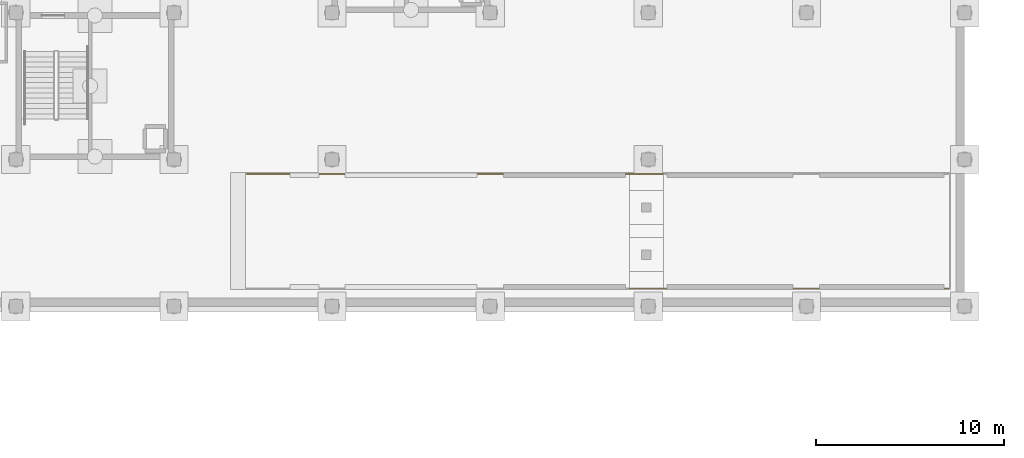
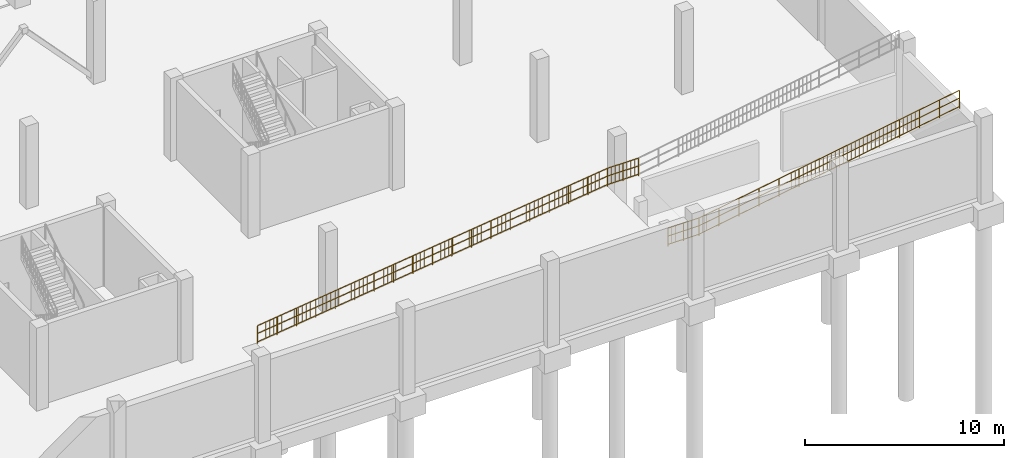
# One storey, part 45 of 48: 4 railings.
"""IFC4 building model written with IfcOpenShell, lengths in metres."""

from ifc_helpers import new_model, si_unit, direction, frame, origin, origin_2d, place, context, subcontext, project, spatial, circle, extrude, material, layer, layer_set, type_object, element, save


model = new_model("IFC4")

# Units and contexts
model_context = context("Model", 3, precision=1e-05, world=origin(), true_north=direction((0.0, 1.0)))
body_context = subcontext(model_context, "Body", "Model", "MODEL_VIEW")
ifc_project = project(units=[si_unit("LENGTHUNIT", "METRE"), si_unit("AREAUNIT", "SQUARE_METRE"), si_unit("VOLUMEUNIT", "CUBIC_METRE"), si_unit("PLANEANGLEUNIT", "RADIAN"), si_unit("MASSUNIT", "GRAM", prefix="KILO")], contexts=[model_context])

# Site, building, storey
site_placement = place(None, origin())
site = spatial("IfcSite", under=ifc_project, at=site_placement, CompositionType="ELEMENT")
building_placement = place(site_placement, origin())
building = spatial("IfcBuilding", under=site, at=building_placement, Name="Nabrawat Pavilion Hospital", CompositionType="ELEMENT")
storey_placement = place(building_placement, frame((0.0, 0.0, -5.10009765625)))
storey = spatial("IfcBuildingStorey", under=building, at=storey_placement, Name="B1", CompositionType="ELEMENT", Elevation=-5.10009765625)

# Railings
ifc_material = material(Name="Stainless Steel 316", Category="steel")
ifc_layer = layer(ifc_material, 0.050048828125, Name="Stainless Steel 316")
ifc_layer_set = layer_set([ifc_layer], Name="Stainless Steel 316")
railing_type = type_object("IfcRailingType", Name="Stair Open-Well Safety Guardrail 1100", PredefinedType="GUARDRAIL", material=ifc_layer_set)
railing_1_placement = place(storey_placement, frame((155.050048828125, 7.0400390625, 0.0)))
element("IfcRailing", 1, at=railing_1_placement, inside=storey, type_object=railing_type, Name="B1 Vehicle Ramp Edge Safety Guardrail GRD-VRMP-F1-N", PredefinedType="GUARDRAIL", context=body_context, shape_type="SweptSolid", body=[
    extrude(circle(Radius=0.02392578125, at=origin_2d()), frame((0.0, 0.0, 1.09619140625), z_axis=(0.992239920483, 0.0, 0.124338007864), x_axis=(0.0, 1.0, 0.0)), (0.0, 0.0, 1.0), 20.509033203125),
    extrude(circle(Radius=0.02392578125, at=origin_2d()), frame((0.0, 0.0, 0.10009765625), z_axis=(0.992239920483, 0.0, 0.124338007864), x_axis=(0.0, 1.0, 0.0)), (0.0, 0.0, 1.0), 20.509033203125),
    extrude(circle(Radius=0.02392578125, at=origin_2d()), frame((0.0, 0.0, 0.615966796875), z_axis=(0.992239920483, 0.0, 0.124338007864), x_axis=(0.0, 1.0, 0.0)), (0.0, 0.0, 1.0), 20.509033203125),
    extrude(circle(Radius=0.008056640625, at=origin_2d()), frame((0.236572265625, 0.0, 0.129638671875)), (0.0, 0.0, 1.0), 0.971923828125),
    extrude(circle(Radius=0.008056640625, at=origin_2d()), frame((0.47314453125, 0.0, 0.159423828125)), (0.0, 0.0, 1.0), 0.971923828125),
    extrude(circle(Radius=0.008056640625, at=origin_2d()), frame((0.7099609375, 0.0, 0.18896484375)), (0.0, 0.0, 1.0), 0.971923828125),
    extrude(circle(Radius=0.008056640625, at=origin_2d()), frame((0.946533203125, 0.0, 0.218505859375)), (0.0, 0.0, 1.0), 0.971923828125),
    extrude(circle(Radius=0.008056640625, at=origin_2d()), frame((1.18310546875, 0.0, 0.248291015625)), (0.0, 0.0, 1.0), 0.971923828125),
    extrude(circle(Radius=0.008056640625, at=origin_2d()), frame((1.419677734375, 0.0, 0.27783203125)), (0.0, 0.0, 1.0), 0.971923828125),
    extrude(circle(Radius=0.008056640625, at=origin_2d()), frame((1.656494140625, 0.0, 0.3076171875)), (0.0, 0.0, 1.0), 0.971923828125),
    extrude(circle(Radius=0.008056640625, at=origin_2d()), frame((1.89306640625, 0.0, 0.337158203125)), (0.0, 0.0, 1.0), 0.971923828125),
    extrude(circle(Radius=0.008056640625, at=origin_2d()), frame((2.129638671875, 0.0, 0.366943359375)), (0.0, 0.0, 1.0), 0.971923828125),
    extrude(circle(Radius=0.008056640625, at=origin_2d()), frame((2.3662109375, 0.0, 0.396484375)), (0.0, 0.0, 1.0), 0.971923828125),
    extrude(circle(Radius=0.008056640625, at=origin_2d()), frame((2.602783203125, 0.0, 0.42626953125)), (0.0, 0.0, 1.0), 0.971923828125),
    extrude(circle(Radius=0.008056640625, at=origin_2d()), frame((2.839599609375, 0.0, 0.455810546875)), (0.0, 0.0, 1.0), 0.971923828125),
    extrude(circle(Radius=0.008056640625, at=origin_2d()), frame((3.076171875, 0.0, 0.4853515625)), (0.0, 0.0, 1.0), 0.971923828125),
    extrude(circle(Radius=0.008056640625, at=origin_2d()), frame((3.312744140625, 0.0, 0.51513671875)), (0.0, 0.0, 1.0), 0.971923828125),
    extrude(circle(Radius=0.008056640625, at=origin_2d()), frame((3.54931640625, 0.0, 0.544677734375)), (0.0, 0.0, 1.0), 0.971923828125),
    extrude(circle(Radius=0.008056640625, at=origin_2d()), frame((3.7861328125, 0.0, 0.574462890625)), (0.0, 0.0, 1.0), 0.971923828125),
    extrude(circle(Radius=0.008056640625, at=origin_2d()), frame((4.022705078125, 0.0, 0.60400390625)), (0.0, 0.0, 1.0), 0.971923828125),
    extrude(circle(Radius=0.008056640625, at=origin_2d()), frame((4.25927734375, 0.0, 0.6337890625)), (0.0, 0.0, 1.0), 0.971923828125),
    extrude(circle(Radius=0.008056640625, at=origin_2d()), frame((4.732421875, 0.0, 0.693115234375)), (0.0, 0.0, 1.0), 0.971923828125),
    extrude(circle(Radius=0.008056640625, at=origin_2d()), frame((4.96923828125, 0.0, 0.72265625)), (0.0, 0.0, 1.0), 0.971923828125),
    extrude(circle(Radius=0.008056640625, at=origin_2d()), frame((5.205810546875, 0.0, 0.75244140625)), (0.0, 0.0, 1.0), 0.971923828125),
    extrude(circle(Radius=0.008056640625, at=origin_2d()), frame((5.4423828125, 0.0, 0.781982421875)), (0.0, 0.0, 1.0), 0.971923828125),
    extrude(circle(Radius=0.008056640625, at=origin_2d()), frame((5.915771484375, 0.0, 0.84130859375)), (0.0, 0.0, 1.0), 0.971923828125),
    extrude(circle(Radius=0.008056640625, at=origin_2d()), frame((6.15234375, 0.0, 0.870849609375)), (0.0, 0.0, 1.0), 0.971923828125),
    extrude(circle(Radius=0.008056640625, at=origin_2d()), frame((6.388916015625, 0.0, 0.900634765625)), (0.0, 0.0, 1.0), 0.971923828125),
    extrude(circle(Radius=0.008056640625, at=origin_2d()), frame((6.62548828125, 0.0, 0.93017578125)), (0.0, 0.0, 1.0), 0.971923828125),
    extrude(circle(Radius=0.008056640625, at=origin_2d()), frame((6.862060546875, 0.0, 0.9599609375)), (0.0, 0.0, 1.0), 0.971923828125),
    extrude(circle(Radius=0.008056640625, at=origin_2d()), frame((7.098876953125, 0.0, 0.989501953125)), (0.0, 0.0, 1.0), 0.971923828125),
    extrude(circle(Radius=0.008056640625, at=origin_2d()), frame((7.33544921875, 0.0, 1.019287109375)), (0.0, 0.0, 1.0), 0.971923828125),
    extrude(circle(Radius=0.008056640625, at=origin_2d()), frame((7.572021484375, 0.0, 1.048828125)), (0.0, 0.0, 1.0), 0.971923828125),
    extrude(circle(Radius=0.008056640625, at=origin_2d()), frame((7.80859375, 0.0, 1.07861328125)), (0.0, 0.0, 1.0), 0.971923828125),
    extrude(circle(Radius=0.008056640625, at=origin_2d()), frame((8.04541015625, 0.0, 1.108154296875)), (0.0, 0.0, 1.0), 0.971923828125),
    extrude(circle(Radius=0.008056640625, at=origin_2d()), frame((8.281982421875, 0.0, 1.1376953125)), (0.0, 0.0, 1.0), 0.971923828125),
    extrude(circle(Radius=0.008056640625, at=origin_2d()), frame((8.5185546875, 0.0, 1.16748046875)), (0.0, 0.0, 1.0), 0.971923828125),
    extrude(circle(Radius=0.008056640625, at=origin_2d()), frame((8.755126953125, 0.0, 1.197021484375)), (0.0, 0.0, 1.0), 0.971923828125),
    extrude(circle(Radius=0.008056640625, at=origin_2d()), frame((8.99169921875, 0.0, 1.226806640625)), (0.0, 0.0, 1.0), 0.971923828125),
    extrude(circle(Radius=0.008056640625, at=origin_2d()), frame((9.228515625, 0.0, 1.25634765625)), (0.0, 0.0, 1.0), 0.971923828125),
    extrude(circle(Radius=0.008056640625, at=origin_2d()), frame((9.465087890625, 0.0, 1.2861328125)), (0.0, 0.0, 1.0), 0.971923828125),
    extrude(circle(Radius=0.008056640625, at=origin_2d()), frame((9.70166015625, 0.0, 1.315673828125)), (0.0, 0.0, 1.0), 0.971923828125),
    extrude(circle(Radius=0.008056640625, at=origin_2d()), frame((9.938232421875, 0.0, 1.345458984375)), (0.0, 0.0, 1.0), 0.971923828125),
    extrude(circle(Radius=0.008056640625, at=origin_2d()), frame((10.41162109375, 0.0, 1.40478515625)), (0.0, 0.0, 1.0), 0.971923828125),
    extrude(circle(Radius=0.008056640625, at=origin_2d()), frame((10.648193359375, 0.0, 1.434326171875)), (0.0, 0.0, 1.0), 0.971923828125),
    extrude(circle(Radius=0.008056640625, at=origin_2d()), frame((10.884765625, 0.0, 1.4638671875)), (0.0, 0.0, 1.0), 0.971923828125),
    extrude(circle(Radius=0.008056640625, at=origin_2d()), frame((11.121337890625, 0.0, 1.49365234375)), (0.0, 0.0, 1.0), 0.971923828125),
    extrude(circle(Radius=0.008056640625, at=origin_2d()), frame((11.358154296875, 0.0, 1.523193359375)), (0.0, 0.0, 1.0), 0.971923828125),
    extrude(circle(Radius=0.008056640625, at=origin_2d()), frame((11.5947265625, 0.0, 1.552978515625)), (0.0, 0.0, 1.0), 0.971923828125),
    extrude(circle(Radius=0.008056640625, at=origin_2d()), frame((11.831298828125, 0.0, 1.58251953125)), (0.0, 0.0, 1.0), 0.971923828125),
    extrude(circle(Radius=0.008056640625, at=origin_2d()), frame((12.06787109375, 0.0, 1.6123046875)), (0.0, 0.0, 1.0), 0.971923828125),
    extrude(circle(Radius=0.008056640625, at=origin_2d()), frame((12.304443359375, 0.0, 1.641845703125)), (0.0, 0.0, 1.0), 0.971923828125),
    extrude(circle(Radius=0.008056640625, at=origin_2d()), frame((12.541259765625, 0.0, 1.671630859375)), (0.0, 0.0, 1.0), 0.971923828125),
    extrude(circle(Radius=0.008056640625, at=origin_2d()), frame((12.77783203125, 0.0, 1.701171875)), (0.0, 0.0, 1.0), 0.971923828125),
    extrude(circle(Radius=0.008056640625, at=origin_2d()), frame((13.014404296875, 0.0, 1.73095703125)), (0.0, 0.0, 1.0), 0.971923828125),
    extrude(circle(Radius=0.008056640625, at=origin_2d()), frame((13.2509765625, 0.0, 1.760498046875)), (0.0, 0.0, 1.0), 0.971923828125),
    extrude(circle(Radius=0.008056640625, at=origin_2d()), frame((13.48779296875, 0.0, 1.7900390625)), (0.0, 0.0, 1.0), 0.971923828125),
    extrude(circle(Radius=0.008056640625, at=origin_2d()), frame((13.724365234375, 0.0, 1.81982421875)), (0.0, 0.0, 1.0), 0.971923828125),
    extrude(circle(Radius=0.008056640625, at=origin_2d()), frame((13.9609375, 0.0, 1.849365234375)), (0.0, 0.0, 1.0), 0.971923828125),
    extrude(circle(Radius=0.008056640625, at=origin_2d()), frame((14.197509765625, 0.0, 1.879150390625)), (0.0, 0.0, 1.0), 0.971923828125),
    extrude(circle(Radius=0.008056640625, at=origin_2d()), frame((14.43408203125, 0.0, 1.90869140625)), (0.0, 0.0, 1.0), 0.971923828125),
    extrude(circle(Radius=0.008056640625, at=origin_2d()), frame((14.907470703125, 0.0, 1.968017578125)), (0.0, 0.0, 1.0), 0.971923828125),
    extrude(circle(Radius=0.008056640625, at=origin_2d()), frame((15.14404296875, 0.0, 1.997802734375)), (0.0, 0.0, 1.0), 0.971923828125),
    extrude(circle(Radius=0.008056640625, at=origin_2d()), frame((15.380615234375, 0.0, 2.02734375)), (0.0, 0.0, 1.0), 0.971923828125),
    extrude(circle(Radius=0.008056640625, at=origin_2d()), frame((15.617431640625, 0.0, 2.05712890625)), (0.0, 0.0, 1.0), 0.971923828125),
    extrude(circle(Radius=0.008056640625, at=origin_2d()), frame((16.090576171875, 0.0, 2.1162109375)), (0.0, 0.0, 1.0), 0.971923828125),
    extrude(circle(Radius=0.008056640625, at=origin_2d()), frame((16.3271484375, 0.0, 2.14599609375)), (0.0, 0.0, 1.0), 0.971923828125),
    extrude(circle(Radius=0.008056640625, at=origin_2d()), frame((16.563720703125, 0.0, 2.175537109375)), (0.0, 0.0, 1.0), 0.971923828125),
    extrude(circle(Radius=0.008056640625, at=origin_2d()), frame((16.800537109375, 0.0, 2.205322265625)), (0.0, 0.0, 1.0), 0.971923828125),
    extrude(circle(Radius=0.008056640625, at=origin_2d()), frame((17.037109375, 0.0, 2.23486328125)), (0.0, 0.0, 1.0), 0.971923828125),
    extrude(circle(Radius=0.008056640625, at=origin_2d()), frame((17.273681640625, 0.0, 2.2646484375)), (0.0, 0.0, 1.0), 0.971923828125),
    extrude(circle(Radius=0.008056640625, at=origin_2d()), frame((17.51025390625, 0.0, 2.294189453125)), (0.0, 0.0, 1.0), 0.971923828125),
    extrude(circle(Radius=0.008056640625, at=origin_2d()), frame((17.7470703125, 0.0, 2.323974609375)), (0.0, 0.0, 1.0), 0.971923828125),
    extrude(circle(Radius=0.008056640625, at=origin_2d()), frame((17.983642578125, 0.0, 2.353515625)), (0.0, 0.0, 1.0), 0.971923828125),
    extrude(circle(Radius=0.008056640625, at=origin_2d()), frame((18.22021484375, 0.0, 2.38330078125)), (0.0, 0.0, 1.0), 0.971923828125),
    extrude(circle(Radius=0.008056640625, at=origin_2d()), frame((18.456787109375, 0.0, 2.412841796875)), (0.0, 0.0, 1.0), 0.971923828125),
    extrude(circle(Radius=0.008056640625, at=origin_2d()), frame((18.693359375, 0.0, 2.4423828125)), (0.0, 0.0, 1.0), 0.971923828125),
    extrude(circle(Radius=0.008056640625, at=origin_2d()), frame((18.93017578125, 0.0, 2.47216796875)), (0.0, 0.0, 1.0), 0.971923828125),
    extrude(circle(Radius=0.008056640625, at=origin_2d()), frame((19.166748046875, 0.0, 2.501708984375)), (0.0, 0.0, 1.0), 0.971923828125),
    extrude(circle(Radius=0.008056640625, at=origin_2d()), frame((19.4033203125, 0.0, 2.531494140625)), (0.0, 0.0, 1.0), 0.971923828125),
    extrude(circle(Radius=0.008056640625, at=origin_2d()), frame((19.639892578125, 0.0, 2.56103515625)), (0.0, 0.0, 1.0), 0.971923828125),
    extrude(circle(Radius=0.008056640625, at=origin_2d()), frame((19.876708984375, 0.0, 2.5908203125)), (0.0, 0.0, 1.0), 0.971923828125),
    extrude(circle(Radius=0.008056640625, at=origin_2d()), frame((20.11328125, 0.0, 2.620361328125)), (0.0, 0.0, 1.0), 0.971923828125),
    extrude(circle(Radius=0.02099609375, at=origin_2d()), origin(), (0.0, 0.0, 1.0), 1.072021484375),
    extrude(circle(Radius=0.02099609375, at=origin_2d()), frame((1.130615234375, 0.0, 0.1416015625)), (0.0, 0.0, 1.0), 1.072021484375),
    extrude(circle(Radius=0.02099609375, at=origin_2d()), frame((2.260986328125, 0.0, 0.283447265625)), (0.0, 0.0, 1.0), 1.072021484375),
    extrude(circle(Radius=0.02099609375, at=origin_2d()), frame((3.3916015625, 0.0, 0.425048828125)), (0.0, 0.0, 1.0), 1.072021484375),
    extrude(circle(Radius=0.02099609375, at=origin_2d()), frame((4.522216796875, 0.0, 0.566650390625)), (0.0, 0.0, 1.0), 1.072021484375),
    extrude(circle(Radius=0.02099609375, at=origin_2d()), frame((5.65283203125, 0.0, 0.708251953125)), (0.0, 0.0, 1.0), 1.072021484375),
    extrude(circle(Radius=0.02099609375, at=origin_2d()), frame((6.783203125, 0.0, 0.85009765625)), (0.0, 0.0, 1.0), 1.072021484375),
    extrude(circle(Radius=0.02099609375, at=origin_2d()), frame((7.913818359375, 0.0, 0.99169921875)), (0.0, 0.0, 1.0), 1.072021484375),
    extrude(circle(Radius=0.02099609375, at=origin_2d()), frame((9.04443359375, 0.0, 1.13330078125)), (0.0, 0.0, 1.0), 1.072021484375),
    extrude(circle(Radius=0.02099609375, at=origin_2d()), frame((10.1748046875, 0.0, 1.27490234375)), (0.0, 0.0, 1.0), 1.072021484375),
    extrude(circle(Radius=0.02099609375, at=origin_2d()), frame((11.305419921875, 0.0, 1.416748046875)), (0.0, 0.0, 1.0), 1.072021484375),
    extrude(circle(Radius=0.02099609375, at=origin_2d()), frame((12.43603515625, 0.0, 1.558349609375)), (0.0, 0.0, 1.0), 1.072021484375),
    extrude(circle(Radius=0.02099609375, at=origin_2d()), frame((13.566650390625, 0.0, 1.699951171875)), (0.0, 0.0, 1.0), 1.072021484375),
    extrude(circle(Radius=0.02099609375, at=origin_2d()), frame((14.697021484375, 0.0, 1.841796875)), (0.0, 0.0, 1.0), 1.072021484375),
    extrude(circle(Radius=0.02099609375, at=origin_2d()), frame((15.82763671875, 0.0, 1.9833984375)), (0.0, 0.0, 1.0), 1.072021484375),
    extrude(circle(Radius=0.02099609375, at=origin_2d()), frame((16.958251953125, 0.0, 2.125)), (0.0, 0.0, 1.0), 1.072021484375),
    extrude(circle(Radius=0.02099609375, at=origin_2d()), frame((18.0888671875, 0.0, 2.2666015625)), (0.0, 0.0, 1.0), 1.072021484375),
    extrude(circle(Radius=0.02099609375, at=origin_2d()), frame((19.21923828125, 0.0, 2.408447265625)), (0.0, 0.0, 1.0), 1.072021484375),
    extrude(circle(Radius=0.02099609375, at=origin_2d()), frame((20.349853515625, 0.0, 2.550048828125)), (0.0, 0.0, 1.0), 1.072021484375),
])
for number, where, name in (
    (2, (175.39990234375, 0.9599609375, 2.550048828125), "B1 Vehicle Ramp Edge Safety Guardrail GRD-VRMP-LND-S"),
    (3, (175.39990234375, 7.0400390625, 2.550048828125), "B1 Vehicle Ramp Edge Safety Guardrail GRD-VRMP-LND-N"),
):
    element("IfcRailing", number, at=place(storey_placement, frame(where)), inside=storey, type_object=railing_type, Name=name, PredefinedType="GUARDRAIL", context=body_context, shape_type="SweptSolid", body=[
        extrude(circle(Radius=0.02392578125, at=origin_2d()), frame((0.0, 0.0, 1.09619140625), z_axis=(1.0, 0.0, 0.0), x_axis=(0.0, 1.0, 0.0)), (0.0, 0.0, 1.0), 1.800048828125),
        extrude(circle(Radius=0.02392578125, at=origin_2d()), frame((0.0, 0.0, 0.10009765625), z_axis=(1.0, 0.0, 0.0), x_axis=(0.0, 1.0, 0.0)), (0.0, 0.0, 1.0), 1.800048828125),
        extrude(circle(Radius=0.02392578125, at=origin_2d()), frame((0.0, 0.0, 0.615966796875), z_axis=(1.0, 0.0, 0.0), x_axis=(0.0, 1.0, 0.0)), (0.0, 0.0, 1.0), 1.800048828125),
        extrude(circle(Radius=0.008056640625, at=origin_2d()), frame((0.22509765625, 0.0, 0.10009765625)), (0.0, 0.0, 1.0), 0.971923828125),
        extrude(circle(Radius=0.008056640625, at=origin_2d()), frame((0.449951171875, 0.0, 0.10009765625)), (0.0, 0.0, 1.0), 0.971923828125),
        extrude(circle(Radius=0.008056640625, at=origin_2d()), frame((0.675048828125, 0.0, 0.10009765625)), (0.0, 0.0, 1.0), 0.971923828125),
        extrude(circle(Radius=0.008056640625, at=origin_2d()), frame((1.125, 0.0, 0.10009765625)), (0.0, 0.0, 1.0), 0.971923828125),
        extrude(circle(Radius=0.008056640625, at=origin_2d()), frame((1.35009765625, 0.0, 0.10009765625)), (0.0, 0.0, 1.0), 0.971923828125),
        extrude(circle(Radius=0.008056640625, at=origin_2d()), frame((1.574951171875, 0.0, 0.10009765625)), (0.0, 0.0, 1.0), 0.971923828125),
        extrude(circle(Radius=0.02099609375, at=origin_2d()), origin(), (0.0, 0.0, 1.0), 1.072021484375),
        extrude(circle(Radius=0.02099609375, at=origin_2d()), frame((0.89990234375, 0.0, 0.0)), (0.0, 0.0, 1.0), 1.072021484375),
        extrude(circle(Radius=0.02099609375, at=origin_2d()), frame((1.800048828125, 0.0, 0.0)), (0.0, 0.0, 1.0), 1.072021484375),
    ])
railing_2_placement = place(storey_placement, frame((177.199951171875, 0.9599609375, 2.550048828125)))
element("IfcRailing", 4, at=railing_2_placement, inside=storey, type_object=railing_type, Name="B1 Vehicle Ramp Edge Safety Guardrail GRD-VRMP-F2-S", PredefinedType="GUARDRAIL", context=body_context, shape_type="SweptSolid", body=[
    extrude(circle(Radius=0.02392578125, at=origin_2d()), frame((0.0, 0.0, 1.09619140625), z_axis=(0.986128513134, 0.0, 0.165983600349), x_axis=(0.0, 1.0, 0.0)), (0.0, 0.0, 1.0), 15.36328125),
    extrude(circle(Radius=0.02392578125, at=origin_2d()), frame((0.0, 0.0, 0.10009765625), z_axis=(0.986128513134, 0.0, 0.165983600349), x_axis=(0.0, 1.0, 0.0)), (0.0, 0.0, 1.0), 15.36328125),
    extrude(circle(Radius=0.02392578125, at=origin_2d()), frame((0.0, 0.0, 0.615966796875), z_axis=(0.986128513134, 0.0, 0.165983600349), x_axis=(0.0, 1.0, 0.0)), (0.0, 0.0, 1.0), 15.36328125),
    extrude(circle(Radius=0.008056640625, at=origin_2d()), frame((0.233154296875, 0.0, 0.13916015625)), (0.0, 0.0, 1.0), 0.971923828125),
    extrude(circle(Radius=0.008056640625, at=origin_2d()), frame((0.466064453125, 0.0, 0.178466796875)), (0.0, 0.0, 1.0), 0.971923828125),
    extrude(circle(Radius=0.008056640625, at=origin_2d()), frame((0.69921875, 0.0, 0.2177734375)), (0.0, 0.0, 1.0), 0.971923828125),
    extrude(circle(Radius=0.008056640625, at=origin_2d()), frame((0.932373046875, 0.0, 0.2568359375)), (0.0, 0.0, 1.0), 0.971923828125),
    extrude(circle(Radius=0.008056640625, at=origin_2d()), frame((1.3984375, 0.0, 0.33544921875)), (0.0, 0.0, 1.0), 0.971923828125),
    extrude(circle(Radius=0.008056640625, at=origin_2d()), frame((1.631591796875, 0.0, 0.37451171875)), (0.0, 0.0, 1.0), 0.971923828125),
    extrude(circle(Radius=0.008056640625, at=origin_2d()), frame((1.86474609375, 0.0, 0.413818359375)), (0.0, 0.0, 1.0), 0.971923828125),
    extrude(circle(Radius=0.008056640625, at=origin_2d()), frame((2.09765625, 0.0, 0.453125)), (0.0, 0.0, 1.0), 0.971923828125),
    extrude(circle(Radius=0.008056640625, at=origin_2d()), frame((2.56396484375, 0.0, 0.531494140625)), (0.0, 0.0, 1.0), 0.971923828125),
    extrude(circle(Radius=0.008056640625, at=origin_2d()), frame((2.796875, 0.0, 0.57080078125)), (0.0, 0.0, 1.0), 0.971923828125),
    extrude(circle(Radius=0.008056640625, at=origin_2d()), frame((3.030029296875, 0.0, 0.610107421875)), (0.0, 0.0, 1.0), 0.971923828125),
    extrude(circle(Radius=0.008056640625, at=origin_2d()), frame((3.26318359375, 0.0, 0.649169921875)), (0.0, 0.0, 1.0), 0.971923828125),
    extrude(circle(Radius=0.008056640625, at=origin_2d()), frame((3.729248046875, 0.0, 0.727783203125)), (0.0, 0.0, 1.0), 0.971923828125),
    extrude(circle(Radius=0.008056640625, at=origin_2d()), frame((3.96240234375, 0.0, 0.766845703125)), (0.0, 0.0, 1.0), 0.971923828125),
    extrude(circle(Radius=0.008056640625, at=origin_2d()), frame((4.1953125, 0.0, 0.80615234375)), (0.0, 0.0, 1.0), 0.971923828125),
    extrude(circle(Radius=0.008056640625, at=origin_2d()), frame((4.428466796875, 0.0, 0.845458984375)), (0.0, 0.0, 1.0), 0.971923828125),
    extrude(circle(Radius=0.008056640625, at=origin_2d()), frame((4.894775390625, 0.0, 0.923828125)), (0.0, 0.0, 1.0), 0.971923828125),
    extrude(circle(Radius=0.008056640625, at=origin_2d()), frame((5.127685546875, 0.0, 0.963134765625)), (0.0, 0.0, 1.0), 0.971923828125),
    extrude(circle(Radius=0.008056640625, at=origin_2d()), frame((5.36083984375, 0.0, 1.00244140625)), (0.0, 0.0, 1.0), 0.971923828125),
    extrude(circle(Radius=0.008056640625, at=origin_2d()), frame((5.593994140625, 0.0, 1.04150390625)), (0.0, 0.0, 1.0), 0.971923828125),
    extrude(circle(Radius=0.008056640625, at=origin_2d()), frame((6.06005859375, 0.0, 1.1201171875)), (0.0, 0.0, 1.0), 0.971923828125),
    extrude(circle(Radius=0.008056640625, at=origin_2d()), frame((6.293212890625, 0.0, 1.1591796875)), (0.0, 0.0, 1.0), 0.971923828125),
    extrude(circle(Radius=0.008056640625, at=origin_2d()), frame((6.526123046875, 0.0, 1.198486328125)), (0.0, 0.0, 1.0), 0.971923828125),
    extrude(circle(Radius=0.008056640625, at=origin_2d()), frame((6.75927734375, 0.0, 1.23779296875)), (0.0, 0.0, 1.0), 0.971923828125),
    extrude(circle(Radius=0.008056640625, at=origin_2d()), frame((7.225341796875, 0.0, 1.316162109375)), (0.0, 0.0, 1.0), 0.971923828125),
    extrude(circle(Radius=0.008056640625, at=origin_2d()), frame((7.45849609375, 0.0, 1.35546875)), (0.0, 0.0, 1.0), 0.971923828125),
    extrude(circle(Radius=0.008056640625, at=origin_2d()), frame((7.691650390625, 0.0, 1.39453125)), (0.0, 0.0, 1.0), 0.971923828125),
    extrude(circle(Radius=0.008056640625, at=origin_2d()), frame((7.9248046875, 0.0, 1.433837890625)), (0.0, 0.0, 1.0), 0.971923828125),
    extrude(circle(Radius=0.008056640625, at=origin_2d()), frame((8.390869140625, 0.0, 1.512451171875)), (0.0, 0.0, 1.0), 0.971923828125),
    extrude(circle(Radius=0.008056640625, at=origin_2d()), frame((8.6240234375, 0.0, 1.551513671875)), (0.0, 0.0, 1.0), 0.971923828125),
    extrude(circle(Radius=0.008056640625, at=origin_2d()), frame((8.85693359375, 0.0, 1.5908203125)), (0.0, 0.0, 1.0), 0.971923828125),
    extrude(circle(Radius=0.008056640625, at=origin_2d()), frame((9.090087890625, 0.0, 1.630126953125)), (0.0, 0.0, 1.0), 0.971923828125),
    extrude(circle(Radius=0.008056640625, at=origin_2d()), frame((9.55615234375, 0.0, 1.70849609375)), (0.0, 0.0, 1.0), 0.971923828125),
    extrude(circle(Radius=0.008056640625, at=origin_2d()), frame((9.789306640625, 0.0, 1.747802734375)), (0.0, 0.0, 1.0), 0.971923828125),
    extrude(circle(Radius=0.008056640625, at=origin_2d()), frame((10.0224609375, 0.0, 1.786865234375)), (0.0, 0.0, 1.0), 0.971923828125),
    extrude(circle(Radius=0.008056640625, at=origin_2d()), frame((10.25537109375, 0.0, 1.826171875)), (0.0, 0.0, 1.0), 0.971923828125),
    extrude(circle(Radius=0.008056640625, at=origin_2d()), frame((10.7216796875, 0.0, 1.904541015625)), (0.0, 0.0, 1.0), 0.971923828125),
    extrude(circle(Radius=0.008056640625, at=origin_2d()), frame((10.954833984375, 0.0, 1.94384765625)), (0.0, 0.0, 1.0), 0.971923828125),
    extrude(circle(Radius=0.008056640625, at=origin_2d()), frame((11.187744140625, 0.0, 1.983154296875)), (0.0, 0.0, 1.0), 0.971923828125),
    extrude(circle(Radius=0.008056640625, at=origin_2d()), frame((11.4208984375, 0.0, 2.0224609375)), (0.0, 0.0, 1.0), 0.971923828125),
    extrude(circle(Radius=0.008056640625, at=origin_2d()), frame((11.886962890625, 0.0, 2.100830078125)), (0.0, 0.0, 1.0), 0.971923828125),
    extrude(circle(Radius=0.008056640625, at=origin_2d()), frame((12.1201171875, 0.0, 2.14013671875)), (0.0, 0.0, 1.0), 0.971923828125),
    extrude(circle(Radius=0.008056640625, at=origin_2d()), frame((12.353271484375, 0.0, 2.17919921875)), (0.0, 0.0, 1.0), 0.971923828125),
    extrude(circle(Radius=0.008056640625, at=origin_2d()), frame((12.586181640625, 0.0, 2.218505859375)), (0.0, 0.0, 1.0), 0.971923828125),
    extrude(circle(Radius=0.008056640625, at=origin_2d()), frame((13.052490234375, 0.0, 2.296875)), (0.0, 0.0, 1.0), 0.971923828125),
    extrude(circle(Radius=0.008056640625, at=origin_2d()), frame((13.285400390625, 0.0, 2.336181640625)), (0.0, 0.0, 1.0), 0.971923828125),
    extrude(circle(Radius=0.008056640625, at=origin_2d()), frame((13.5185546875, 0.0, 2.37548828125)), (0.0, 0.0, 1.0), 0.971923828125),
    extrude(circle(Radius=0.008056640625, at=origin_2d()), frame((13.751708984375, 0.0, 2.41455078125)), (0.0, 0.0, 1.0), 0.971923828125),
    extrude(circle(Radius=0.008056640625, at=origin_2d()), frame((14.2177734375, 0.0, 2.4931640625)), (0.0, 0.0, 1.0), 0.971923828125),
    extrude(circle(Radius=0.008056640625, at=origin_2d()), frame((14.450927734375, 0.0, 2.532470703125)), (0.0, 0.0, 1.0), 0.971923828125),
    extrude(circle(Radius=0.008056640625, at=origin_2d()), frame((14.68408203125, 0.0, 2.571533203125)), (0.0, 0.0, 1.0), 0.971923828125),
    extrude(circle(Radius=0.008056640625, at=origin_2d()), frame((14.9169921875, 0.0, 2.61083984375)), (0.0, 0.0, 1.0), 0.971923828125),
    extrude(circle(Radius=0.02099609375, at=origin_2d()), origin(), (0.0, 0.0, 1.0), 1.072021484375),
    extrude(circle(Radius=0.02099609375, at=origin_2d()), frame((1.165283203125, 0.0, 0.196044921875)), (0.0, 0.0, 1.0), 1.072021484375),
    extrude(circle(Radius=0.02099609375, at=origin_2d()), frame((2.330810546875, 0.0, 0.392333984375)), (0.0, 0.0, 1.0), 1.072021484375),
    extrude(circle(Radius=0.02099609375, at=origin_2d()), frame((3.49609375, 0.0, 0.58837890625)), (0.0, 0.0, 1.0), 1.072021484375),
    extrude(circle(Radius=0.02099609375, at=origin_2d()), frame((4.66162109375, 0.0, 0.78466796875)), (0.0, 0.0, 1.0), 1.072021484375),
    extrude(circle(Radius=0.02099609375, at=origin_2d()), frame((5.826904296875, 0.0, 0.980712890625)), (0.0, 0.0, 1.0), 1.072021484375),
    extrude(circle(Radius=0.02099609375, at=origin_2d()), frame((6.992431640625, 0.0, 1.177001953125)), (0.0, 0.0, 1.0), 1.072021484375),
    extrude(circle(Radius=0.02099609375, at=origin_2d()), frame((8.15771484375, 0.0, 1.373046875)), (0.0, 0.0, 1.0), 1.072021484375),
    extrude(circle(Radius=0.02099609375, at=origin_2d()), frame((9.3232421875, 0.0, 1.5693359375)), (0.0, 0.0, 1.0), 1.072021484375),
    extrude(circle(Radius=0.02099609375, at=origin_2d()), frame((10.488525390625, 0.0, 1.765380859375)), (0.0, 0.0, 1.0), 1.072021484375),
    extrude(circle(Radius=0.02099609375, at=origin_2d()), frame((11.654052734375, 0.0, 1.961669921875)), (0.0, 0.0, 1.0), 1.072021484375),
    extrude(circle(Radius=0.02099609375, at=origin_2d()), frame((12.8193359375, 0.0, 2.15771484375)), (0.0, 0.0, 1.0), 1.072021484375),
    extrude(circle(Radius=0.02099609375, at=origin_2d()), frame((13.98486328125, 0.0, 2.35400390625)), (0.0, 0.0, 1.0), 1.072021484375),
    extrude(circle(Radius=0.02099609375, at=origin_2d()), frame((15.150146484375, 0.0, 2.550048828125)), (0.0, 0.0, 1.0), 1.072021484375),
])

save(model, "model.ifc")
